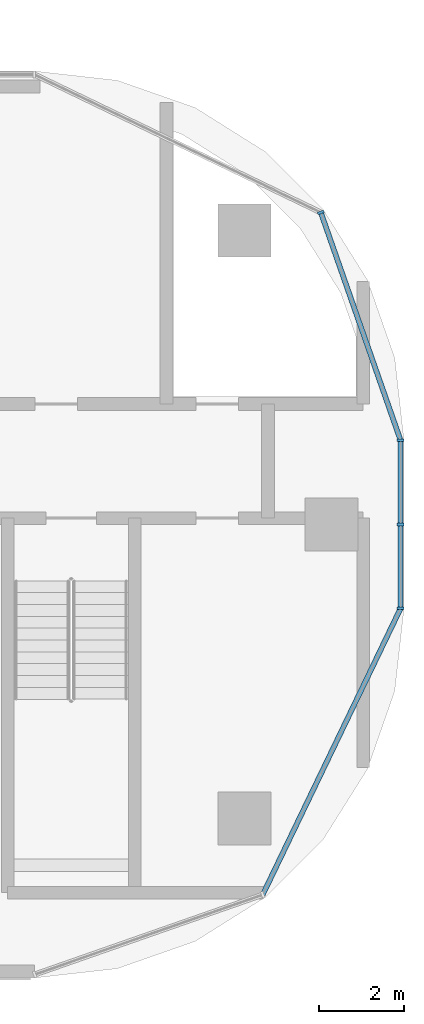
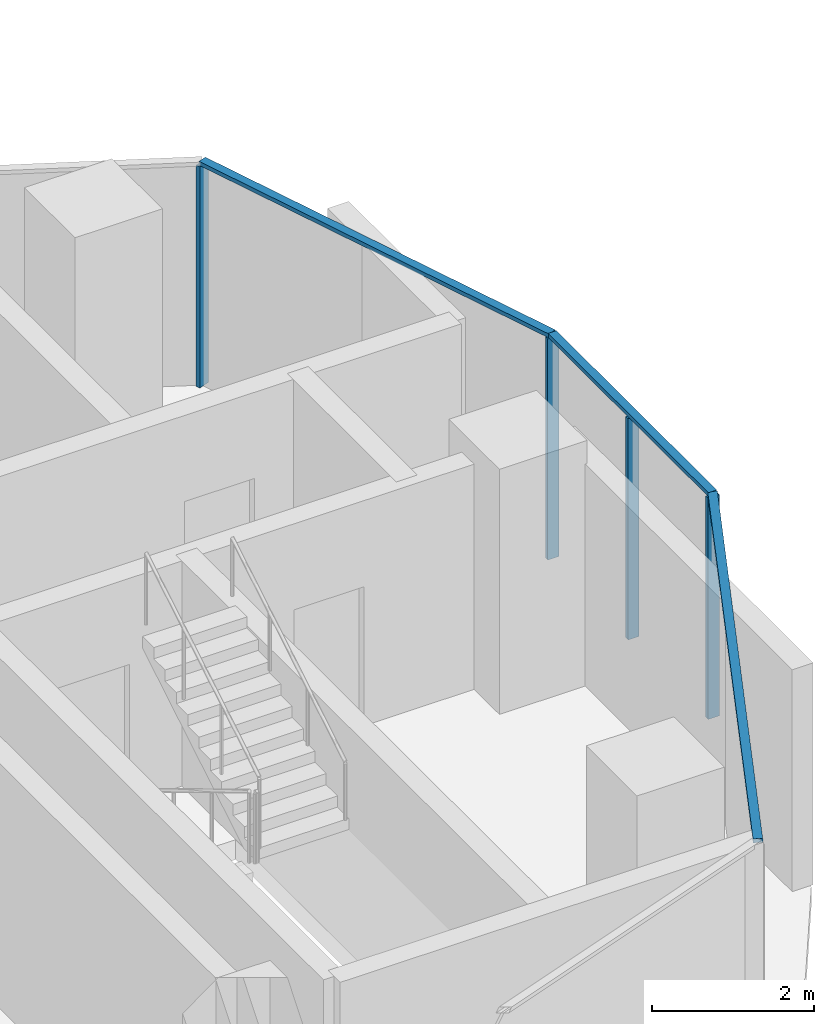
# One storey, part 7 of 22: 7 members, 3 elements without a shape of their own.
"""IFC4 building model written with IfcOpenShell, lengths in metres."""

from ifc_helpers import new_model, si_unit, direction, frame, origin, origin_2d, place, context, subcontext, project, spatial, rectangle, extrude, material, material_profile, profile_set, type_object, element, aggregate, save


model = new_model("IFC4")

# Units and contexts
model_context = context("Model", 3, precision=1e-05, world=origin(), true_north=direction((0.0, 1.0)))
body_context = subcontext(model_context, "Body", "Model", "MODEL_VIEW")
ifc_project = project(units=[si_unit("LENGTHUNIT", "METRE"), si_unit("AREAUNIT", "SQUARE_METRE"), si_unit("VOLUMEUNIT", "CUBIC_METRE"), si_unit("PLANEANGLEUNIT", "RADIAN"), si_unit("MASSUNIT", "GRAM", prefix="KILO")], contexts=[model_context])

# Site, building, storey
site_placement = place(None, origin())
site = spatial("IfcSite", under=ifc_project, at=site_placement, CompositionType="ELEMENT")
building_placement = place(site_placement, origin())
building = spatial("IfcBuilding", under=site, at=building_placement, Name="Ogive Portal Towers", CompositionType="ELEMENT")
storey_placement = place(building_placement, frame((0.0, 0.0, 131.5)))
storey = spatial("IfcBuildingStorey", under=building, at=storey_placement, Name="L32", CompositionType="ELEMENT", Elevation=131.5)

# Curtain wall, members
ifc_material_1 = material(Name="Glass, clear low-iron insulated glazing", Category="glass")
curtain_wall_type = type_object("IfcCurtainWallType", Name="CW FRONT RIBBON 4500", PredefinedType="NOTDEFINED", material=ifc_material_1)
curtain_wall_1_placement = place(storey_placement, origin())
curtain_wall_1 = element("IfcCurtainWall", 1, at=curtain_wall_1_placement, inside=storey, type_object=curtain_wall_type, Name="A:L32:f10:cw0", PredefinedType="NOTDEFINED")
ifc_material_2 = material(Name="Aluminium 6063 anodised", Category="aluminium")
ifc_material_profile_1 = material_profile(ifc_material_2, rectangle(XDim=0.159912109375, YDim=0.06005859375, at=origin_2d()), Name="AL 60x160")
ifc_profile_set_1 = profile_set([ifc_material_profile_1], Name="Aluminium 6063 anodised")
member_type_1 = type_object("IfcMemberType", Name="CW MULLION 60x160", PredefinedType="MULLION", material=ifc_profile_set_1)
member_1_placement = place(storey_placement, frame((96.135009765625, 28.518310546875, 0.0), z_axis=(0.0, 0.0, 1.0), x_axis=(-1.0, 0.0, 0.0)))
member_1 = element("IfcMember", 2, at=member_1_placement, type_object=member_type_1, Name="mullion", PredefinedType="MULLION", context=body_context, shape_type="SweptSolid", body=[
    extrude(rectangle(XDim=0.159912109375, YDim=0.06005859375, at=origin_2d()), origin(), (0.0, 0.0, 1.0), 3.340087890625),
])
member_2_placement = place(storey_placement, frame((96.135009765625, 30.5, 0.0), z_axis=(0.0, 0.0, 1.0), x_axis=(-1.0, 0.0, 0.0)))
member_2 = element("IfcMember", 3, at=member_2_placement, type_object=member_type_1, Name="mullion", PredefinedType="MULLION", context=body_context, shape_type="SweptSolid", body=[
    extrude(rectangle(XDim=0.159912109375, YDim=0.06005859375, at=origin_2d()), origin(), (0.0, 0.0, 1.0), 3.340087890625),
])
member_3_placement = place(storey_placement, frame((96.135009765625, 32.486328125, 0.0), z_axis=(0.0, 0.0, 1.0), x_axis=(-1.0, 0.0, 0.0)))
member_3 = element("IfcMember", 4, at=member_3_placement, type_object=member_type_1, Name="mullion", PredefinedType="MULLION", context=body_context, shape_type="SweptSolid", body=[
    extrude(rectangle(XDim=0.159912109375, YDim=0.06005859375, at=origin_2d()), origin(), (0.0, 0.0, 1.0), 3.340087890625),
])

# Curtain wall, member
curtain_wall_2_placement = place(storey_placement, origin())
curtain_wall_2 = element("IfcCurtainWall", 5, at=curtain_wall_2_placement, inside=storey, type_object=curtain_wall_type, Name="A:L32:f11:cwa", PredefinedType="NOTDEFINED")
member_4_placement = place(storey_placement, frame((94.2490234375, 37.8759765625, 0.0), z_axis=(0.0, 0.0, 1.0), x_axis=(-0.943883330307, -0.33027906196, 0.0)))
member_4 = element("IfcMember", 6, at=member_4_placement, type_object=member_type_1, Name="mullion", PredefinedType="MULLION", context=body_context, shape_type="SweptSolid", body=[
    extrude(rectangle(XDim=0.159912109375, YDim=0.06005859375, at=origin_2d()), origin(), (0.0, 0.0, 1.0), 3.340087890625),
])

# Member
ifc_material_profile_2 = material_profile(ifc_material_2, rectangle(XDim=0.1201171875, YDim=0.06005859375, at=origin_2d()), Name="AL 120x60")
ifc_profile_set_2 = profile_set([ifc_material_profile_2], Name="Aluminium 6063 anodised")
member_type_2 = type_object("IfcMemberType", Name="CW TRANSOM 60x120", PredefinedType="USERDEFINED", material=ifc_profile_set_2)
member_5_placement = place(storey_placement, frame((96.135009765625, 28.518310546875, 3.3701171875), z_axis=(0.0, 1.0, 0.0), x_axis=(-1.0, 0.0, 0.0)))
member_5 = element("IfcMember", 7, at=member_5_placement, type_object=member_type_2, Name="transom", ObjectType="TRANSOM", PredefinedType="USERDEFINED", context=body_context, shape_type="SweptSolid", body=[
    extrude(rectangle(XDim=0.1201171875, YDim=0.06005859375, at=origin_2d()), origin(), (0.0, 0.0, 1.0), 3.968017578125),
])

aggregate(curtain_wall_1, [member_5, member_1, member_2, member_3])

# Curtain wall, member
curtain_wall_3_placement = place(storey_placement, origin())
curtain_wall_3 = element("IfcCurtainWall", 8, at=curtain_wall_3_placement, inside=storey, type_object=curtain_wall_type, Name="A:L32:f08:cwa", PredefinedType="NOTDEFINED")
member_6_placement = place(storey_placement, frame((92.8759765625, 21.7509765625, 3.3701171875), z_axis=(0.433889890445, 0.900965905554, 0.0), x_axis=(-0.900965905554, 0.433889890445, 0.0)))
member_6 = element("IfcMember", 9, at=member_6_placement, type_object=member_type_2, Name="transom", ObjectType="TRANSOM", PredefinedType="USERDEFINED", context=body_context, shape_type="SweptSolid", body=[
    extrude(rectangle(XDim=0.1201171875, YDim=0.06005859375, at=origin_2d()), origin(), (0.0, 0.0, 1.0), 7.51123046875),
])
aggregate(curtain_wall_3, [member_6])

# Member
member_7_placement = place(storey_placement, frame((96.135009765625, 32.486328125, 3.3701171875), z_axis=(-0.330289480189, 0.943879684746, 0.0), x_axis=(-0.943879684746, -0.330289480189, 0.0)))
member_7 = element("IfcMember", 10, at=member_7_placement, type_object=member_type_2, Name="transom", ObjectType="TRANSOM", PredefinedType="USERDEFINED", context=body_context, shape_type="SweptSolid", body=[
    extrude(rectangle(XDim=0.1201171875, YDim=0.06005859375, at=origin_2d()), origin(), (0.0, 0.0, 1.0), 5.710205078125),
])

aggregate(curtain_wall_2, [member_7, member_4])

save(model, "model.ifc")
